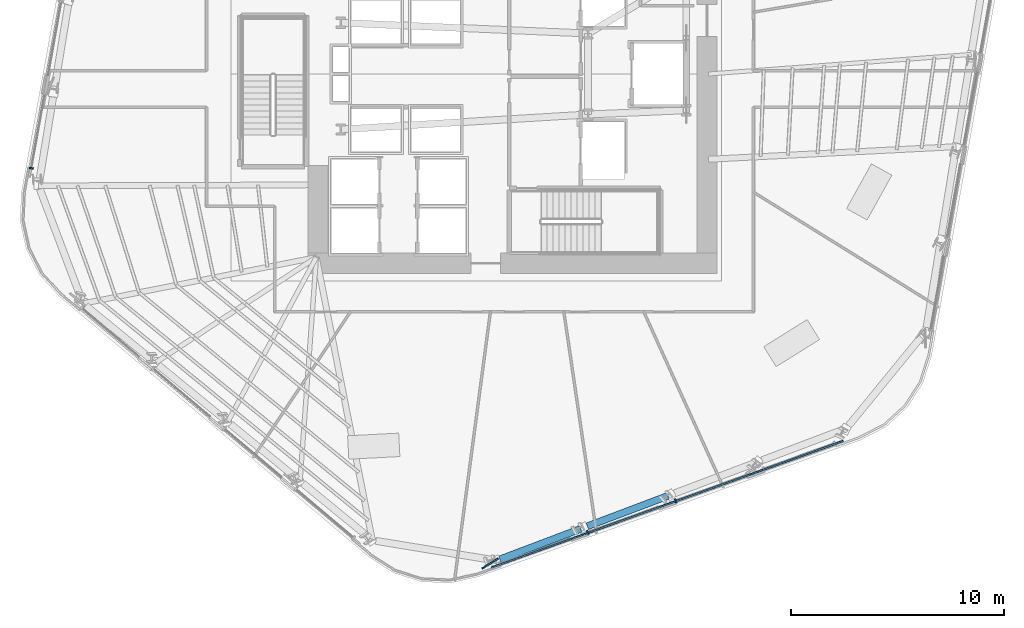
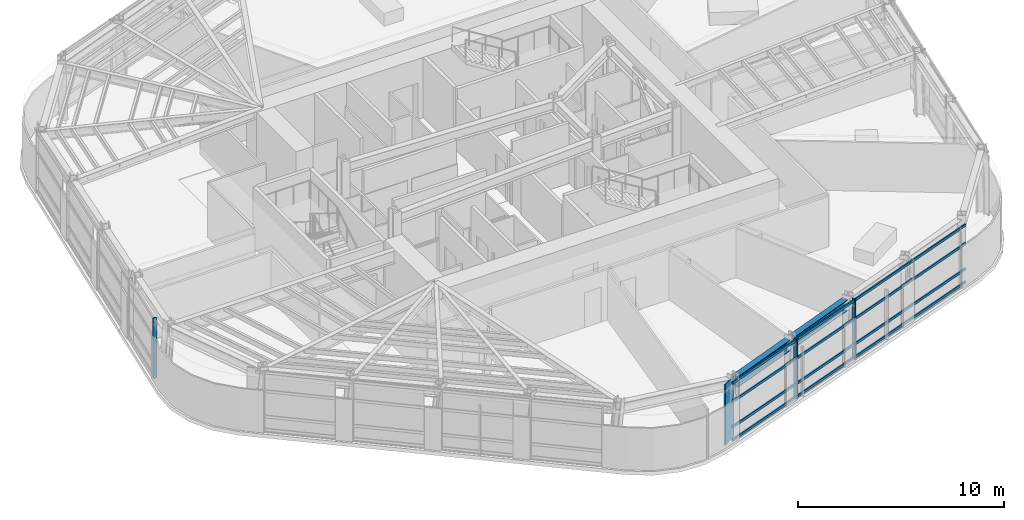
# One storey, part 3 of 18: 8 members, 2 beams, 2 elements without a shape of their own.
"""IFC4 building model written with IfcOpenShell, lengths in metres."""

import ifcopenshell
import ifcopenshell.guid

model = None  # the IFC model being written
_history = None  # IfcOwnerHistory: only IFC2X3 demands one
_inside = {}  # id of a spatial element -> (the spatial element, [elements in it])
_under = {}  # id of a project, library or spatial element -> (it, [spatial elements below it])
_declared = {}  # id of a project -> (the project, [libraries it declares])
_typed = {}  # id of a type object -> (the type object, [elements of that type])
_made_of = {}  # id of a material, layer set ... -> (it, [elements and type objects made of it])


def new_model(schema):
    """Start an empty IFC model of exactly this schema.

    Asked for "IFC4X3", IfcOpenShell would pick the latest addendum, in which some entities
    have other attributes; the version numbers below select the first issue.
    IFC2X3 requires an IfcOwnerHistory on every rooted entity: one is made here for all.
    """
    global model, _history
    if schema == "IFC4X3":
        model = ifcopenshell.file(schema_version=(4, 3, 0, 0))
    else:
        model = ifcopenshell.file(schema=schema)
    _inside.clear()
    _under.clear()
    _declared.clear()
    _typed.clear()
    _made_of.clear()
    _history = None
    if model.schema == "IFC2X3":
        org = make("IfcOrganization", Name="unknown")
        user = make(
            "IfcPersonAndOrganization",
            ThePerson=make("IfcPerson", FamilyName="unknown"),
            TheOrganization=org,
        )
        app = make(
            "IfcApplication",
            ApplicationDeveloper=org,
            Version="unknown",
            ApplicationFullName="unknown",
            ApplicationIdentifier="unknown",
        )
        _history = make(
            "IfcOwnerHistory",
            OwningUser=user,
            OwningApplication=app,
            ChangeAction="ADDED",
            CreationDate=0,
        )
    return model


def make(cls, **values):
    """One entity of the class cls with the attributes given. An attribute that is None is left unset."""
    return model.create_entity(
        cls, **{name: value for name, value in values.items() if value is not None}
    )


def rooted(cls, **values):
    """An entity with a GlobalId (a new one), such as an element, a storey or a relation."""
    return make(cls, GlobalId=ifcopenshell.guid.new(), OwnerHistory=_history, **values)


def si_unit(unit_type, name, prefix=None):
    """IfcSIUnit, for example si_unit("LENGTHUNIT", "METRE", prefix="MILLI")."""
    return make("IfcSIUnit", UnitType=unit_type, Prefix=prefix, Name=name)


def assignment(units):
    """IfcUnitAssignment: the units of a project."""
    return None if units is None else make("IfcUnitAssignment", Units=units)


def point(xyz):
    """IfcCartesianPoint."""
    return None if xyz is None else make("IfcCartesianPoint", Coordinates=xyz)


def direction(xyz):
    """IfcDirection."""
    return None if xyz is None else make("IfcDirection", DirectionRatios=xyz)


def frame(location, z_axis=None, x_axis=None):
    """IfcAxis2Placement3D, a coordinate frame: its origin and axes. An axis left out is left unset."""
    return make(
        "IfcAxis2Placement3D",
        Location=point(location),
        Axis=direction(z_axis),
        RefDirection=direction(x_axis),
    )


def frame_2d(location, x_axis=None):
    """IfcAxis2Placement2D, a coordinate frame in the plane: its origin and x axis."""
    return make(
        "IfcAxis2Placement2D", Location=point(location), RefDirection=direction(x_axis)
    )


def origin():
    """The frame at (0, 0, 0) with its axes left unset."""
    return frame((0.0, 0.0, 0.0))


def origin_2d():
    """The frame at (0, 0) in the plane with its x axis left unset."""
    return frame_2d((0.0, 0.0))


def place(relative_to, where):
    """IfcLocalPlacement: puts the frame where relative to a parent placement (None: the world)."""
    return make(
        "IfcLocalPlacement", PlacementRelTo=relative_to, RelativePlacement=where
    )


def context(
    kind, dimensions, precision=None, world=None, true_north=None, identifier=None
):
    """IfcGeometricRepresentationContext, for example the 3D "Model" context."""
    return make(
        "IfcGeometricRepresentationContext",
        ContextIdentifier=identifier,
        ContextType=kind,
        CoordinateSpaceDimension=dimensions,
        Precision=precision,
        WorldCoordinateSystem=world,
        TrueNorth=true_north,
    )


def subcontext(parent, identifier, kind, view, scale=None):
    """IfcGeometricRepresentationSubContext, for example "Body" below "Model"."""
    return make(
        "IfcGeometricRepresentationSubContext",
        ContextIdentifier=identifier,
        ContextType=kind,
        ParentContext=parent,
        TargetScale=scale,
        TargetView=view,
    )


def project(units=None, contexts=None):
    """IfcProject with its units and contexts."""
    return rooted(
        "IfcProject",
        Name="project",
        RepresentationContexts=contexts,
        UnitsInContext=assignment(units),
    )


def spatial(cls, under=None, at=None, **own):
    """A site, building, storey or space (cls), placed at a placement, below another one or the project."""
    s = rooted(cls, ObjectPlacement=at, **own)
    if under is not None:
        _under.setdefault(under.id(), (under, []))[1].append(s)
    return s


def profile(cls, at=None, kind="AREA", **sizes):
    """A parametric profile (cls). Its sizes go by their IFC names, for example OverallWidth=200.0."""
    return make(cls, ProfileType=kind, Position=at, **sizes)


def rectangle(**sizes):
    """IfcRectangleProfileDef."""
    return profile("IfcRectangleProfileDef", **sizes)


def i_section(**sizes):
    """IfcIShapeProfileDef."""
    return profile("IfcIShapeProfileDef", **sizes)


def extrude(swept, where, along, depth):
    """IfcExtrudedAreaSolid: the profile swept, set in the frame where, extruded along a direction by depth."""
    return make(
        "IfcExtrudedAreaSolid",
        SweptArea=swept,
        Position=where,
        ExtrudedDirection=direction(along),
        Depth=depth,
    )


def shape(context_of_items, identifier, shape_type, items):
    """IfcShapeRepresentation: the items that make up one representation, for example the "Body"."""
    return make(
        "IfcShapeRepresentation",
        ContextOfItems=context_of_items,
        RepresentationIdentifier=identifier,
        RepresentationType=shape_type,
        Items=items,
    )


def material(Name=None, Category=None):
    """IfcMaterial."""
    return make("IfcMaterial", Name=Name, Category=Category)


def layer(
    of_material, thickness, ventilated=None, Name=None, Category=None, Priority=None
):
    """IfcMaterialLayer: one layer of a wall or slab, of a material (None: an air gap)."""
    return make(
        "IfcMaterialLayer",
        Material=of_material,
        LayerThickness=thickness,
        IsVentilated=ventilated,
        Name=Name,
        Category=Category,
        Priority=Priority,
    )


def layer_set(layers, Name=None):
    """IfcMaterialLayerSet."""
    return make("IfcMaterialLayerSet", MaterialLayers=layers, LayerSetName=Name)


def material_profile(
    of_material, cross_section, Name=None, Category=None, Priority=None
):
    """IfcMaterialProfile: a cross section and its material."""
    return make(
        "IfcMaterialProfile",
        Name=Name,
        Material=of_material,
        Profile=cross_section,
        Priority=Priority,
        Category=Category,
    )


def profile_set(profiles, Name=None, composite=None):
    """IfcMaterialProfileSet."""
    return make(
        "IfcMaterialProfileSet",
        Name=Name,
        MaterialProfiles=profiles,
        CompositeProfile=composite,
    )


def made_of(thing, what):
    """Note that an element or type object is made of a material, layer set ...; save() writes the relation."""
    if what is not None:
        _made_of.setdefault(what.id(), (what, []))[1].append(thing)
    return thing


def type_object(cls, material=None, **own):
    """A type object (cls), such as IfcWallType, which elements share."""
    return made_of(rooted(cls, **own), material)


def element(
    cls,
    number,
    at=None,
    inside=None,
    cuts=None,
    type_object=None,
    material=None,
    context=None,
    identifier="Body",
    shape_type=None,
    held_by="IfcProductDefinitionShape",
    body=None,
    shapes=None,
    **own,
):
    """One element of the class cls, such as IfcWall. Its Tag is "e" and its number.

    at: its placement. inside: the storey or other place that contains it. cuts: it is an
    opening in that element (IfcRelVoidsElement). A single representation is given by context,
    identifier, shape_type and body (its items); several are given by shapes. held_by: the class
    of the entity that holds the representations. save() writes the other relations.
    """
    e = rooted(cls, Tag="e%d" % number, ObjectPlacement=at, **own)
    if body is not None:
        shapes = [shape(context, identifier, shape_type, body)]
    if shapes is not None:
        e.Representation = make(held_by, Representations=shapes)
    if inside is not None:
        _inside.setdefault(inside.id(), (inside, []))[1].append(e)
    if cuts is not None:
        rooted(
            "IfcRelVoidsElement", RelatingBuildingElement=cuts, RelatedOpeningElement=e
        )
    if type_object is not None:
        _typed.setdefault(type_object.id(), (type_object, []))[1].append(e)
    return made_of(e, material)


def aggregate(whole, parts):
    """IfcRelAggregates: a whole, such as a stair, and the parts it consists of."""
    return rooted("IfcRelAggregates", RelatingObject=whole, RelatedObjects=parts)


def save(model, path):
    """Write the relations noted so far, then the file.

    IfcRelAggregates (storeys below a building ...), IfcRelContainedInSpatialStructure (elements
    in a storey), IfcRelDefinesByType, IfcRelAssociatesMaterial and IfcRelDeclares: one each for
    every whole, place, type object, material and project.
    """
    for whole, parts in _under.values():
        aggregate(whole, parts)
    for where, things in _inside.values():
        rooted(
            "IfcRelContainedInSpatialStructure",
            RelatedElements=things,
            RelatingStructure=where,
        )
    for kind, things in _typed.values():
        rooted("IfcRelDefinesByType", RelatedObjects=things, RelatingType=kind)
    for what, things in _made_of.values():
        rooted("IfcRelAssociatesMaterial", RelatedObjects=things, RelatingMaterial=what)
    for by, libraries in _declared.values():
        rooted("IfcRelDeclares", RelatingContext=by, RelatedDefinitions=libraries)
    model.write(path)


model = new_model("IFC4")

# Units and contexts
model_context = context("Model", 3, precision=1e-05, world=origin(), true_north=direction((0.0, 1.0)))
body_context = subcontext(model_context, "Body", "Model", "MODEL_VIEW")
ifc_project = project(units=[si_unit("LENGTHUNIT", "METRE"), si_unit("AREAUNIT", "SQUARE_METRE"), si_unit("VOLUMEUNIT", "CUBIC_METRE"), si_unit("PLANEANGLEUNIT", "RADIAN"), si_unit("MASSUNIT", "GRAM", prefix="KILO")], contexts=[model_context])

# Site, building, storey
site_placement = place(None, origin())
site = spatial("IfcSite", under=ifc_project, at=site_placement, CompositionType="ELEMENT")
building_placement = place(site_placement, origin())
building = spatial("IfcBuilding", under=site, at=building_placement, Name="Valkerne Bourse Tower", CompositionType="ELEMENT")
storey_placement = place(building_placement, frame((0.0, 0.0, 108.60009765625)))
storey = spatial("IfcBuildingStorey", under=building, at=storey_placement, Name="L27", CompositionType="ELEMENT", Elevation=108.60009765625)

# Beams
ifc_material_1 = material(Name="Steel ASTM A992", Category="steel")
ifc_material_profile_1 = material_profile(ifc_material_1, i_section(OverallWidth=0.330078125, OverallDepth=0.647705078125, WebThickness=0.0205078125, FlangeThickness=0.037109375, FilletRadius=0.020263671875, at=origin_2d()), Name="W24X192")
ifc_profile_set_1 = profile_set([ifc_material_profile_1], Name="Steel ASTM A992")
beam_type = type_object("IfcBeamType", Name="BM-W24X192", PredefinedType="SPANDREL", material=ifc_profile_set_1)
for number, where, z_axis, x_axis, name in (
    (1, (46.212890625, 4.235107421875, 3.256103515625), (0.935435267389, 0.353498034684, 0.0), (-0.353498034684, 0.935435267389, 0.0), "L27 Hexagonal Spandrel Ring Beam 20"),
    (2, (50.31298828125, 5.784423828125, 3.256103515625), (0.935455234344, 0.353445193119, 0.0), (-0.353445193119, 0.935455234344, 0.0), "L27 Hexagonal Spandrel Ring Beam 21"),
):
    element("IfcBeam", number, at=place(storey_placement, frame(where, z_axis=z_axis, x_axis=x_axis)), inside=storey, type_object=beam_type, Name=name, PredefinedType="SPANDREL", context=body_context, shape_type="SweptSolid", body=[
        extrude(i_section(OverallWidth=0.330078125, OverallDepth=0.647705078125, WebThickness=0.0205078125, FlangeThickness=0.037109375, FilletRadius=0.020263671875, at=origin_2d()), origin(), (0.0, 0.0, 1.0), 4.04296875),
    ])

# Curtain wall, member
ifc_material_2 = material(Name="Aluminium AA 6063-T6", Category="aluminium")
ifc_layer = layer(ifc_material_2, 0.22998046875)
ifc_layer_set = layer_set([ifc_layer], Name="Aluminium AA 6063-T6")
curtain_wall_type = type_object("IfcCurtainWallType", Name="CW-02", PredefinedType="NOTDEFINED", material=ifc_layer_set)
curtain_wall_1_placement = place(storey_placement, origin())
curtain_wall_1 = element("IfcCurtainWall", 3, at=curtain_wall_1_placement, inside=storey, type_object=curtain_wall_type, Name="L27 Hexagonal Stick Curtain Wall Face 3", PredefinedType="NOTDEFINED")
ifc_material_profile_2 = material_profile(ifc_material_2, rectangle(XDim=0.074951171875, YDim=0.199951171875, at=origin_2d()), Name="CWM-75X200")
ifc_profile_set_2 = profile_set([ifc_material_profile_2], Name="Aluminium AA 6063-T6")
member_type_1 = type_object("IfcMemberType", Name="CW-MUL-220X75", PredefinedType="MULLION", material=ifc_profile_set_2)
member_1_placement = place(storey_placement, frame((24.23291015625, 22.58056640625, 0.0), z_axis=(0.0, 0.0, 1.0), x_axis=(-0.177094213282, -0.984193903467, 0.0)))
member_1 = element("IfcMember", 4, at=member_1_placement, type_object=member_type_1, Name="CW-L27-F3 Jamb Mullion 03B", PredefinedType="MULLION", context=body_context, shape_type="SweptSolid", body=[
    extrude(rectangle(XDim=0.074951171875, YDim=0.199951171875, at=origin_2d()), origin(), (0.0, 0.0, 1.0), 3.579833984375),
])
aggregate(curtain_wall_1, [member_1])

# Curtain wall, members
curtain_wall_2_placement = place(storey_placement, origin())
curtain_wall_2 = element("IfcCurtainWall", 5, at=curtain_wall_2_placement, inside=storey, type_object=curtain_wall_type, Name="L27 Hexagonal Stick Curtain Wall Face 5", PredefinedType="NOTDEFINED")
member_2_placement = place(storey_placement, frame((50.32958984375, 5.49658203125, 0.0), z_axis=(0.0, 0.0, 1.0), x_axis=(0.94088043135, 0.338738857977, 0.0)))
member_2 = element("IfcMember", 6, at=member_2_placement, type_object=member_type_1, Name="CW-L27-F5 Jamb Mullion 01A", PredefinedType="MULLION", context=body_context, shape_type="SweptSolid", body=[
    extrude(rectangle(XDim=0.074951171875, YDim=0.199951171875, at=origin_2d()), origin(), (0.0, 0.0, 1.0), 3.579833984375),
])
member_3_placement = place(storey_placement, frame((54.45361328125, 6.9814453125, 0.0), z_axis=(0.0, 0.0, 1.0), x_axis=(0.94088043135, 0.338738857977, 0.0)))
member_3 = element("IfcMember", 7, at=member_3_placement, type_object=member_type_1, Name="CW-L27-F5 Jamb Mullion 02A", PredefinedType="MULLION", context=body_context, shape_type="SweptSolid", body=[
    extrude(rectangle(XDim=0.074951171875, YDim=0.199951171875, at=origin_2d()), origin(), (0.0, 0.0, 1.0), 3.579833984375),
])
ifc_material_profile_3 = material_profile(ifc_material_2, rectangle(XDim=0.074951171875, YDim=0.14990234375, at=origin_2d()), Name="CWT-75X150")
ifc_profile_set_3 = profile_set([ifc_material_profile_3], Name="Aluminium AA 6063-T6")
member_type_2 = type_object("IfcMemberType", Name="CW-TRN-180X65", PredefinedType="USERDEFINED", material=ifc_profile_set_3)
member_4_placement = place(storey_placement, frame((45.8173828125, 3.850830078125, 0.119873046875), z_axis=(0.940881908657, 0.338734754582, 0.0), x_axis=(-0.338734754582, 0.940881908657, 0.0)))
member_4 = element("IfcMember", 8, at=member_4_placement, type_object=member_type_2, Name="CW-L27-F5 Continuous Face Transom 1", ObjectType="TRANSOM", PredefinedType="USERDEFINED", context=body_context, shape_type="SweptSolid", body=[
    extrude(rectangle(XDim=0.074951171875, YDim=0.14990234375, at=origin_2d()), origin(), (0.0, 0.0, 1.0), 17.531982421875),
])
member_5_placement = place(storey_placement, frame((45.8173828125, 3.850830078125, 0.89990234375), z_axis=(0.940881908657, 0.338734754582, 0.0), x_axis=(-0.338734754582, 0.940881908657, 0.0)))
member_5 = element("IfcMember", 9, at=member_5_placement, type_object=member_type_2, Name="CW-L27-F5 Continuous Face Transom 2", ObjectType="TRANSOM", PredefinedType="USERDEFINED", context=body_context, shape_type="SweptSolid", body=[
    extrude(rectangle(XDim=0.074951171875, YDim=0.14990234375, at=origin_2d()), origin(), (0.0, 0.0, 1.0), 17.531982421875),
])
member_6_placement = place(storey_placement, frame((45.8173828125, 3.850830078125, 2.39990234375), z_axis=(0.940881908657, 0.338734754582, 0.0), x_axis=(-0.338734754582, 0.940881908657, 0.0)))
member_6 = element("IfcMember", 10, at=member_6_placement, type_object=member_type_2, Name="CW-L27-F5 Continuous Face Transom 3", ObjectType="TRANSOM", PredefinedType="USERDEFINED", context=body_context, shape_type="SweptSolid", body=[
    extrude(rectangle(XDim=0.074951171875, YDim=0.14990234375, at=origin_2d()), origin(), (0.0, 0.0, 1.0), 17.531982421875),
])
member_7_placement = place(storey_placement, frame((45.8173828125, 3.850830078125, 3.5), z_axis=(0.940881908657, 0.338734754582, 0.0), x_axis=(-0.338734754582, 0.940881908657, 0.0)))
member_7 = element("IfcMember", 11, at=member_7_placement, type_object=member_type_2, Name="CW-L27-F5 Continuous Face Transom 4", ObjectType="TRANSOM", PredefinedType="USERDEFINED", context=body_context, shape_type="SweptSolid", body=[
    extrude(rectangle(XDim=0.074951171875, YDim=0.14990234375, at=origin_2d()), origin(), (0.0, 0.0, 1.0), 17.531982421875),
])
aggregate(curtain_wall_2, [member_4, member_5, member_6, member_7, member_2, member_3])

# Member
ifc_material_3 = material(Name="Bronze Anodised Aluminium AA 6063-T6", Category="aluminium")
ifc_material_profile_4 = material_profile(ifc_material_3, rectangle(XDim=0.070068359375, YDim=0.89990234375, at=origin_2d()), Name="FIN-70X900")
ifc_profile_set_4 = profile_set([ifc_material_profile_4], Name="Bronze Anodised Aluminium AA 6063-T6")
member_type_3 = type_object("IfcMemberType", Name="FIN-SOLAR-900", PredefinedType="USERDEFINED", material=ifc_profile_set_4)
member_8_placement = place(storey_placement, frame((45.74951171875, 4.0390625, 0.00390625), z_axis=(0.0, 0.0, 1.0), x_axis=(0.52934049003, -0.848409479918, 0.0)))
element("IfcMember", 12, at=member_8_placement, inside=storey, type_object=member_type_3, Name="L27 Bronze Anodised Solar Fin F5-00", ObjectType="SOLAR_FIN", PredefinedType="USERDEFINED", context=body_context, shape_type="SweptSolid", body=[
    extrude(rectangle(XDim=0.070068359375, YDim=0.89990234375, at=origin_2d()), origin(), (0.0, 0.0, 1.0), 3.572021484375),
])

save(model, "model.ifc")
